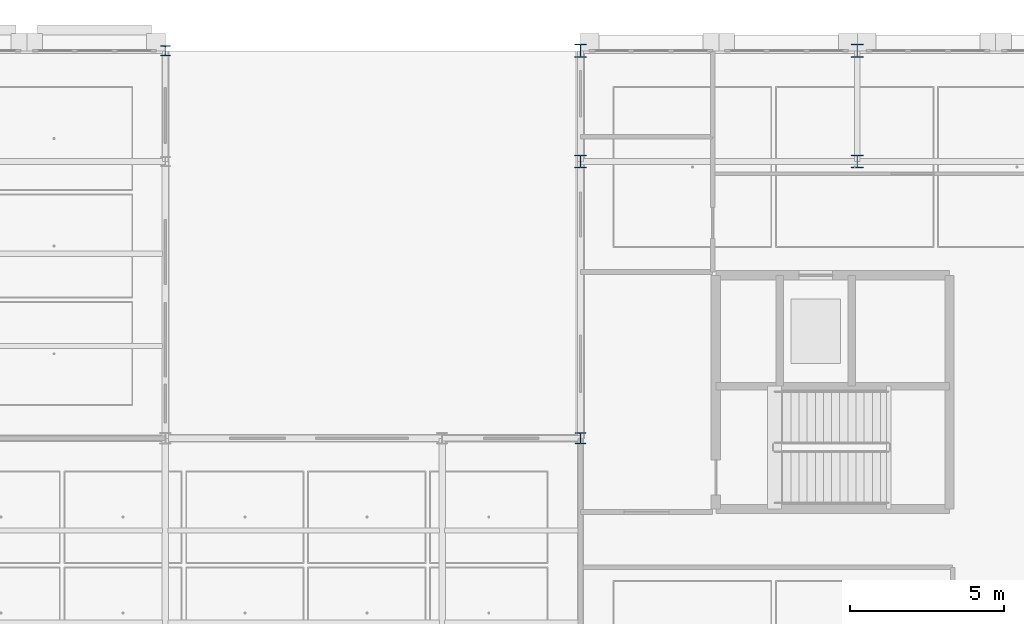
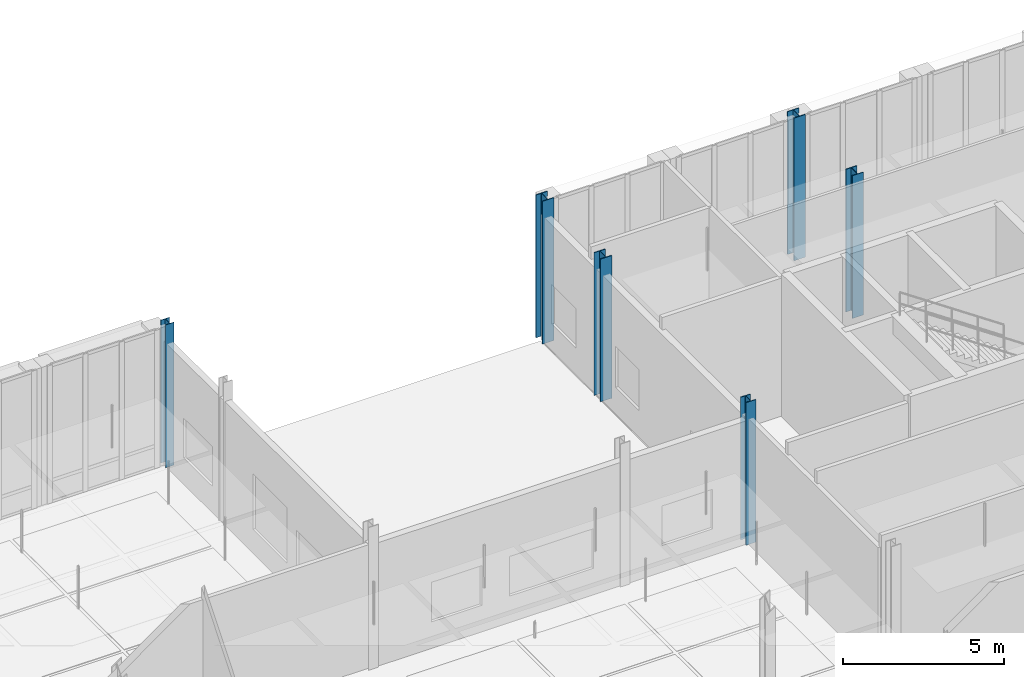
# One storey, part 23 of 180: 6 columns.
"""IFC4 building model written with IfcOpenShell, lengths in metres."""

from ifc_helpers import new_model, si_unit, direction, frame, origin, origin_2d, place, context, subcontext, project, spatial, i_section, extrude, material, material_profile, profile_set, type_object, element, save


model = new_model("IFC4")

# Units and contexts
model_context = context("Model", 3, precision=1e-05, world=origin(), true_north=direction((0.0, 1.0)))
body_context = subcontext(model_context, "Body", "Model", "MODEL_VIEW")
ifc_project = project(units=[si_unit("LENGTHUNIT", "METRE"), si_unit("AREAUNIT", "SQUARE_METRE"), si_unit("VOLUMEUNIT", "CUBIC_METRE"), si_unit("PLANEANGLEUNIT", "RADIAN"), si_unit("MASSUNIT", "GRAM", prefix="KILO"), si_unit("THERMODYNAMICTEMPERATUREUNIT", "KELVIN"), si_unit("POWERUNIT", "WATT")], contexts=[model_context])

# Site, building, storey
site_placement = place(None, origin())
site = spatial("IfcSite", under=ifc_project, at=site_placement, CompositionType="ELEMENT")
building_placement = place(site_placement, origin())
building = spatial("IfcBuilding", under=site, at=building_placement, Name="Tallowbark Science Centre", CompositionType="ELEMENT")
storey_placement = place(building_placement, origin())
storey = spatial("IfcBuildingStorey", under=building, at=storey_placement, Name="L00", CompositionType="ELEMENT", Elevation=0.0)

# Columns
ifc_material = material(Name="Structural Steel Grade 300PLUS (300 MPa)", Category="steel")
ifc_material_profile_1 = material_profile(ifc_material, i_section(OverallWidth=0.307373046875, OverallDepth=0.314697265625, WebThickness=0.011962890625, FlangeThickness=0.018798828125, FilletRadius=0.0166015625, at=origin_2d()), Name="310UC118")
ifc_profile_set_1 = profile_set([ifc_material_profile_1], Name="Structural Steel Grade 300PLUS (300 MPa)")
column_type_1 = type_object("IfcColumnType", Name="COL-UC310C", PredefinedType="COLUMN", material=ifc_profile_set_1)
column_1_placement = place(storey_placement, frame((99.0, 111.60009765625, 0.0), z_axis=(0.0, 0.0, 1.0), x_axis=(1.0, 0.0, 0.0)))
element("IfcColumn", 1, at=column_1_placement, inside=storey, type_object=column_type_1, Name="Column LAB-6_5 L00", PredefinedType="COLUMN", context=body_context, shape_type="SweptSolid", body=[
    extrude(i_section(OverallWidth=0.307373046875, OverallDepth=0.314697265625, WebThickness=0.011962890625, FlangeThickness=0.018798828125, FilletRadius=0.0166015625, at=origin_2d()), origin(), (0.0, 0.0, 1.0), 5.39990234375),
])
ifc_material_profile_2 = material_profile(ifc_material, i_section(OverallWidth=0.35009765625, OverallDepth=0.35888671875, WebThickness=0.01611328125, FlangeThickness=0.02392578125, FilletRadius=0.013916015625, at=origin_2d()), Name="350WC197")
ifc_profile_set_2 = profile_set([ifc_material_profile_2], Name="Structural Steel Grade 300PLUS (300 MPa)")
column_type_2 = type_object("IfcColumnType", Name="COL-WC350", PredefinedType="COLUMN", material=ifc_profile_set_2)
column_2_placement = place(storey_placement, frame((112.5, 99.0, 0.0), z_axis=(0.0, 0.0, 1.0), x_axis=(1.0, 0.0, 0.0)))
element("IfcColumn", 2, at=column_2_placement, inside=storey, type_object=column_type_2, Name="Column LAB-8_3 L00", PredefinedType="COLUMN", context=body_context, shape_type="SweptSolid", body=[
    extrude(i_section(OverallWidth=0.35009765625, OverallDepth=0.35888671875, WebThickness=0.01611328125, FlangeThickness=0.02392578125, FilletRadius=0.013916015625, at=origin_2d()), origin(), (0.0, 0.0, 1.0), 5.39990234375),
])
ifc_material_profile_3 = material_profile(ifc_material, i_section(OverallWidth=0.39990234375, OverallDepth=0.427978515625, WebThickness=0.02001953125, FlangeThickness=0.028076171875, FilletRadius=0.01611328125, at=origin_2d()), Name="400WC270")
ifc_profile_set_3 = profile_set([ifc_material_profile_3], Name="Structural Steel Grade 300PLUS (300 MPa)")
column_type_3 = type_object("IfcColumnType", Name="COL-WC400", PredefinedType="COLUMN", material=ifc_profile_set_3)
for number, where, z_axis, x_axis, name in (
    (3, (112.5, 108.0, 0.0), (0.0, 0.0, 1.0), (1.0, 0.0, 0.0), "Column OBS-0_4 L00"),
    (4, (112.5, 111.60009765625, 0.0), (0.0, 0.0, 1.0), (1.0, 0.0, 0.0), "Column OBS-0_5 L00"),
    (5, (121.5, 108.0, 0.0), (0.0, 0.0, 1.0), (1.0, 0.0, 0.0), "Column OBS-1_4 L00"),
    (6, (121.5, 111.60009765625, 0.0), (0.0, 0.0, 1.0), (1.0, 0.0, 0.0), "Column OBS-1_5 L00"),
):
    element("IfcColumn", number, at=place(storey_placement, frame(where, z_axis=z_axis, x_axis=x_axis)), inside=storey, type_object=column_type_3, Name=name, PredefinedType="COLUMN", context=body_context, shape_type="SweptSolid", body=[
        extrude(i_section(OverallWidth=0.39990234375, OverallDepth=0.427978515625, WebThickness=0.02001953125, FlangeThickness=0.028076171875, FilletRadius=0.01611328125, at=origin_2d()), origin(), (0.0, 0.0, 1.0), 5.39990234375),
    ])

save(model, "model.ifc")
